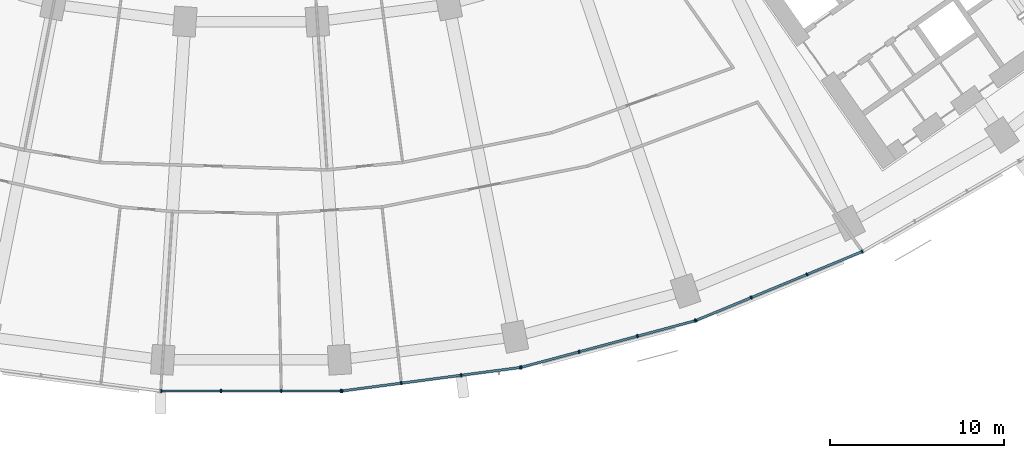
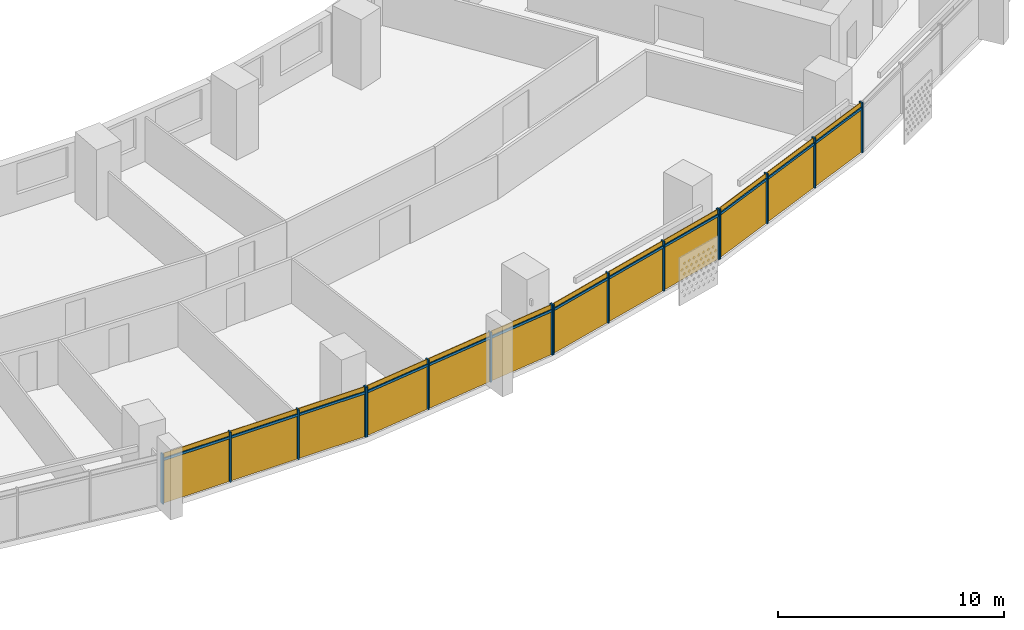
# One storey, part 23 of 30: 28 members, 4 curtain walls.
"""IFC4 building model written with IfcOpenShell, lengths in metres."""

from ifc_helpers import new_model, si_unit, direction, frame, origin, origin_2d, place, context, subcontext, project, spatial, rectangle, extrude, material, material_profile, profile_set, type_object, element, aggregate, save


model = new_model("IFC4")

# Units and contexts
model_context = context("Model", 3, precision=1e-05, world=origin(), true_north=direction((0.0, 1.0)))
body_context = subcontext(model_context, "Body", "Model", "MODEL_VIEW")
ifc_project = project(units=[si_unit("LENGTHUNIT", "METRE"), si_unit("AREAUNIT", "SQUARE_METRE"), si_unit("VOLUMEUNIT", "CUBIC_METRE"), si_unit("PLANEANGLEUNIT", "RADIAN"), si_unit("MASSUNIT", "GRAM", prefix="KILO")], contexts=[model_context])

# Member
ifc_material = material(Name="Aluminium 6063-T6 anodised", Category="aluminium")
ifc_material_profile_1 = material_profile(ifc_material, rectangle(XDim=0.199951171875, YDim=0.070068359375, at=origin_2d()))
ifc_profile_set_1 = profile_set([ifc_material_profile_1], Name="Aluminium 6063-T6 anodised")
member_type_1 = type_object("IfcMemberType", Name="Mullion 70 x 200 aluminium", PredefinedType="MULLION", material=ifc_profile_set_1)
site_placement = place(None, origin())
building_placement = place(site_placement, origin())
storey_placement = place(building_placement, frame((0.0, 0.0, 67.10009765625)))
member_1_placement = place(storey_placement, frame((-5.17431640625, -79.37939453125, 0.0), z_axis=(0.0, 0.0, 1.0), x_axis=(0.0, 1.0, 0.0)))
member_1 = element("IfcMember", 1, at=member_1_placement, type_object=member_type_1, Name="e-cw1-L13-out08/M00", PredefinedType="MULLION", context=body_context, shape_type="SweptSolid", body=[
    extrude(rectangle(XDim=0.199951171875, YDim=0.070068359375, at=origin_2d()), origin(), (0.0, 0.0, 1.0), 2.699951171875),
])

member_2_placement = place(storey_placement, frame((-1.736572265625, -79.37939453125, 0.0), z_axis=(0.0, 0.0, 1.0), x_axis=(0.0, 1.0, 0.0)))
member_2 = element("IfcMember", 2, at=member_2_placement, type_object=member_type_1, Name="e-cw1-L13-out08/M01", PredefinedType="MULLION", context=body_context, shape_type="SweptSolid", body=[
    extrude(rectangle(XDim=0.199951171875, YDim=0.070068359375, at=origin_2d()), origin(), (0.0, 0.0, 1.0), 2.699951171875),
])

member_3_placement = place(storey_placement, frame((1.736572265625, -79.37939453125, 0.0), z_axis=(0.0, 0.0, 1.0), x_axis=(0.0, 1.0, 0.0)))
member_3 = element("IfcMember", 3, at=member_3_placement, type_object=member_type_1, Name="e-cw1-L13-out08/M02", PredefinedType="MULLION", context=body_context, shape_type="SweptSolid", body=[
    extrude(rectangle(XDim=0.199951171875, YDim=0.070068359375, at=origin_2d()), origin(), (0.0, 0.0, 1.0), 2.699951171875),
])

member_4_placement = place(storey_placement, frame((5.17431640625, -79.37939453125, 0.0), z_axis=(0.0, 0.0, 1.0), x_axis=(0.0, 1.0, 0.0)))
member_4 = element("IfcMember", 4, at=member_4_placement, type_object=member_type_1, Name="e-cw1-L13-out08/M03", PredefinedType="MULLION", context=body_context, shape_type="SweptSolid", body=[
    extrude(rectangle(XDim=0.199951171875, YDim=0.070068359375, at=origin_2d()), origin(), (0.0, 0.0, 1.0), 2.699951171875),
])

member_5_placement = place(storey_placement, frame((5.23095703125, -79.375732421875, 0.0), z_axis=(0.0, 0.0, 1.0), x_axis=(-0.13052619222, 0.991444861374, 0.0)))
member_5 = element("IfcMember", 5, at=member_5_placement, type_object=member_type_1, Name="e-cw1-L13-out09/M00", PredefinedType="MULLION", context=body_context, shape_type="SweptSolid", body=[
    extrude(rectangle(XDim=0.199951171875, YDim=0.070068359375, at=origin_2d()), origin(), (0.0, 0.0, 1.0), 2.699951171875),
])

member_6_placement = place(storey_placement, frame((8.639404296875, -78.927001953125, 0.0), z_axis=(0.0, 0.0, 1.0), x_axis=(-0.13052619222, 0.991444861374, 0.0)))
member_6 = element("IfcMember", 6, at=member_6_placement, type_object=member_type_1, Name="e-cw1-L13-out09/M01", PredefinedType="MULLION", context=body_context, shape_type="SweptSolid", body=[
    extrude(rectangle(XDim=0.199951171875, YDim=0.070068359375, at=origin_2d()), origin(), (0.0, 0.0, 1.0), 2.699951171875),
])

member_7_placement = place(storey_placement, frame((12.082763671875, -78.4736328125, 0.0), z_axis=(0.0, 0.0, 1.0), x_axis=(-0.13052619222, 0.991444861374, 0.0)))
member_7 = element("IfcMember", 7, at=member_7_placement, type_object=member_type_1, Name="e-cw1-L13-out09/M02", PredefinedType="MULLION", context=body_context, shape_type="SweptSolid", body=[
    extrude(rectangle(XDim=0.199951171875, YDim=0.070068359375, at=origin_2d()), origin(), (0.0, 0.0, 1.0), 2.699951171875),
])

member_8_placement = place(storey_placement, frame((15.4912109375, -78.02490234375, 0.0), z_axis=(0.0, 0.0, 1.0), x_axis=(-0.13052619222, 0.991444861374, 0.0)))
member_8 = element("IfcMember", 8, at=member_8_placement, type_object=member_type_1, Name="e-cw1-L13-out09/M03", PredefinedType="MULLION", context=body_context, shape_type="SweptSolid", body=[
    extrude(rectangle(XDim=0.199951171875, YDim=0.070068359375, at=origin_2d()), origin(), (0.0, 0.0, 1.0), 2.699951171875),
])

member_9_placement = place(storey_placement, frame((15.546875, -78.013916015625, 0.0), z_axis=(0.0, 0.0, 1.0), x_axis=(-0.258819045103, 0.965925826289, 0.0)))
member_9 = element("IfcMember", 9, at=member_9_placement, type_object=member_type_1, Name="e-cw1-L13-out10/M00", PredefinedType="MULLION", context=body_context, shape_type="SweptSolid", body=[
    extrude(rectangle(XDim=0.199951171875, YDim=0.070068359375, at=origin_2d()), origin(), (0.0, 0.0, 1.0), 2.699951171875),
])

member_10_placement = place(storey_placement, frame((18.86767578125, -77.1240234375, 0.0), z_axis=(0.0, 0.0, 1.0), x_axis=(-0.258819045103, 0.965925826289, 0.0)))
member_10 = element("IfcMember", 10, at=member_10_placement, type_object=member_type_1, Name="e-cw1-L13-out10/M01", PredefinedType="MULLION", context=body_context, shape_type="SweptSolid", body=[
    extrude(rectangle(XDim=0.199951171875, YDim=0.070068359375, at=origin_2d()), origin(), (0.0, 0.0, 1.0), 2.699951171875),
])

member_11_placement = place(storey_placement, frame((22.22216796875, -76.225341796875, 0.0), z_axis=(0.0, 0.0, 1.0), x_axis=(-0.258819045103, 0.965925826289, 0.0)))
member_11 = element("IfcMember", 11, at=member_11_placement, type_object=member_type_1, Name="e-cw1-L13-out10/M02", PredefinedType="MULLION", context=body_context, shape_type="SweptSolid", body=[
    extrude(rectangle(XDim=0.199951171875, YDim=0.070068359375, at=origin_2d()), origin(), (0.0, 0.0, 1.0), 2.699951171875),
])

member_12_placement = place(storey_placement, frame((25.54296875, -75.33544921875, 0.0), z_axis=(0.0, 0.0, 1.0), x_axis=(-0.258819045103, 0.965925826289, 0.0)))
member_12 = element("IfcMember", 12, at=member_12_placement, type_object=member_type_1, Name="e-cw1-L13-out10/M03", PredefinedType="MULLION", context=body_context, shape_type="SweptSolid", body=[
    extrude(rectangle(XDim=0.199951171875, YDim=0.070068359375, at=origin_2d()), origin(), (0.0, 0.0, 1.0), 2.699951171875),
])

member_13_placement = place(storey_placement, frame((25.5966796875, -75.317138671875, 0.0), z_axis=(0.0, 0.0, 1.0), x_axis=(-0.382683432365, 0.923879532511, 0.0)))
member_13 = element("IfcMember", 13, at=member_13_placement, type_object=member_type_1, Name="e-cw1-L13-out11/M00", PredefinedType="MULLION", context=body_context, shape_type="SweptSolid", body=[
    extrude(rectangle(XDim=0.199951171875, YDim=0.070068359375, at=origin_2d()), origin(), (0.0, 0.0, 1.0), 2.699951171875),
])

member_14_placement = place(storey_placement, frame((28.77294921875, -74.00146484375, 0.0), z_axis=(0.0, 0.0, 1.0), x_axis=(-0.382683432365, 0.923879532511, 0.0)))
member_14 = element("IfcMember", 14, at=member_14_placement, type_object=member_type_1, Name="e-cw1-L13-out11/M01", PredefinedType="MULLION", context=body_context, shape_type="SweptSolid", body=[
    extrude(rectangle(XDim=0.199951171875, YDim=0.070068359375, at=origin_2d()), origin(), (0.0, 0.0, 1.0), 2.699951171875),
])

member_15_placement = place(storey_placement, frame((31.9814453125, -72.672607421875, 0.0), z_axis=(0.0, 0.0, 1.0), x_axis=(-0.382683432365, 0.923879532511, 0.0)))
member_15 = element("IfcMember", 15, at=member_15_placement, type_object=member_type_1, Name="e-cw1-L13-out11/M02", PredefinedType="MULLION", context=body_context, shape_type="SweptSolid", body=[
    extrude(rectangle(XDim=0.199951171875, YDim=0.070068359375, at=origin_2d()), origin(), (0.0, 0.0, 1.0), 2.699951171875),
])

member_16_placement = place(storey_placement, frame((35.15771484375, -71.35693359375, 0.0), z_axis=(0.0, 0.0, 1.0), x_axis=(-0.382683432365, 0.923879532511, 0.0)))
member_16 = element("IfcMember", 16, at=member_16_placement, type_object=member_type_1, Name="e-cw1-L13-out11/M03", PredefinedType="MULLION", context=body_context, shape_type="SweptSolid", body=[
    extrude(rectangle(XDim=0.199951171875, YDim=0.070068359375, at=origin_2d()), origin(), (0.0, 0.0, 1.0), 2.699951171875),
])

ifc_material_profile_2 = material_profile(ifc_material, rectangle(XDim=0.139892578125, YDim=0.1201171875, at=origin_2d()))
ifc_profile_set_2 = profile_set([ifc_material_profile_2], Name="Aluminium 6063-T6 anodised")
member_type_2 = type_object("IfcMemberType", Name="Transom 120 x 140 aluminium", PredefinedType="USERDEFINED", material=ifc_profile_set_2)
member_17_placement = place(storey_placement, frame((-5.139404296875, -79.37939453125, 2.39990234375), z_axis=(1.0, 0.0, 0.0), x_axis=(0.0, 1.0, 0.0)))
member_17 = element("IfcMember", 17, at=member_17_placement, type_object=member_type_2, Name="e-cw1-L13-out08/T00", ObjectType="TRANSOM", PredefinedType="USERDEFINED", context=body_context, shape_type="SweptSolid", body=[
    extrude(rectangle(XDim=0.139892578125, YDim=0.1201171875, at=origin_2d()), origin(), (0.0, 0.0, 1.0), 3.367919921875),
])

member_18_placement = place(storey_placement, frame((-1.701416015625, -79.37939453125, 2.39990234375), z_axis=(1.0, 0.0, 0.0), x_axis=(0.0, 1.0, 0.0)))
member_18 = element("IfcMember", 18, at=member_18_placement, type_object=member_type_2, Name="e-cw1-L13-out08/T01", ObjectType="TRANSOM", PredefinedType="USERDEFINED", context=body_context, shape_type="SweptSolid", body=[
    extrude(rectangle(XDim=0.139892578125, YDim=0.1201171875, at=origin_2d()), origin(), (0.0, 0.0, 1.0), 3.40283203125),
])

member_19_placement = place(storey_placement, frame((1.771484375, -79.37939453125, 2.39990234375), z_axis=(1.0, 0.0, 0.0), x_axis=(0.0, 1.0, 0.0)))
member_19 = element("IfcMember", 19, at=member_19_placement, type_object=member_type_2, Name="e-cw1-L13-out08/T02", ObjectType="TRANSOM", PredefinedType="USERDEFINED", context=body_context, shape_type="SweptSolid", body=[
    extrude(rectangle(XDim=0.139892578125, YDim=0.1201171875, at=origin_2d()), origin(), (0.0, 0.0, 1.0), 3.367919921875),
])

member_20_placement = place(storey_placement, frame((5.265625, -79.37109375, 2.39990234375), z_axis=(0.991450594138, 0.130482640159, 0.0), x_axis=(-0.130482640159, 0.991450594138, 0.0)))
member_20 = element("IfcMember", 20, at=member_20_placement, type_object=member_type_2, Name="e-cw1-L13-out09/T00", ObjectType="TRANSOM", PredefinedType="USERDEFINED", context=body_context, shape_type="SweptSolid", body=[
    extrude(rectangle(XDim=0.139892578125, YDim=0.1201171875, at=origin_2d()), origin(), (0.0, 0.0, 1.0), 3.367919921875),
])

member_21_placement = place(storey_placement, frame((8.67431640625, -78.92236328125, 2.39990234375), z_axis=(0.991447700941, 0.130504621753, 0.0), x_axis=(-0.130504621753, 0.991447700941, 0.0)))
member_21 = element("IfcMember", 21, at=member_21_placement, type_object=member_type_2, Name="e-cw1-L13-out09/T01", ObjectType="TRANSOM", PredefinedType="USERDEFINED", context=body_context, shape_type="SweptSolid", body=[
    extrude(rectangle(XDim=0.139892578125, YDim=0.1201171875, at=origin_2d()), origin(), (0.0, 0.0, 1.0), 3.40283203125),
])

member_22_placement = place(storey_placement, frame((12.117431640625, -78.46923828125, 2.39990234375), z_axis=(0.9914412138, 0.130553895303, 0.0), x_axis=(-0.130553895303, 0.9914412138, 0.0)))
member_22 = element("IfcMember", 22, at=member_22_placement, type_object=member_type_2, Name="e-cw1-L13-out09/T02", ObjectType="TRANSOM", PredefinedType="USERDEFINED", context=body_context, shape_type="SweptSolid", body=[
    extrude(rectangle(XDim=0.139892578125, YDim=0.1201171875, at=origin_2d()), origin(), (0.0, 0.0, 1.0), 3.367919921875),
])

member_23_placement = place(storey_placement, frame((15.58056640625, -78.0048828125, 2.39990234375), z_axis=(0.965915368772, 0.258858069935, 0.0), x_axis=(-0.258858069935, 0.965915368772, 0.0)))
member_23 = element("IfcMember", 23, at=member_23_placement, type_object=member_type_2, Name="e-cw1-L13-out10/T00", ObjectType="TRANSOM", PredefinedType="USERDEFINED", context=body_context, shape_type="SweptSolid", body=[
    extrude(rectangle(XDim=0.139892578125, YDim=0.1201171875, at=origin_2d()), origin(), (0.0, 0.0, 1.0), 3.367919921875),
])

member_24_placement = place(storey_placement, frame((18.9013671875, -77.114990234375, 2.39990234375), z_axis=(0.965937804901, 0.258774336176, 0.0), x_axis=(-0.258774336176, 0.965937804901, 0.0)))
member_24 = element("IfcMember", 24, at=member_24_placement, type_object=member_type_2, Name="e-cw1-L13-out10/T01", ObjectType="TRANSOM", PredefinedType="USERDEFINED", context=body_context, shape_type="SweptSolid", body=[
    extrude(rectangle(XDim=0.139892578125, YDim=0.1201171875, at=origin_2d()), origin(), (0.0, 0.0, 1.0), 3.403076171875),
])

member_25_placement = place(storey_placement, frame((22.256103515625, -76.21630859375, 2.39990234375), z_axis=(0.965915368772, 0.258858069935, 0.0), x_axis=(-0.258858069935, 0.965915368772, 0.0)))
member_25 = element("IfcMember", 25, at=member_25_placement, type_object=member_type_2, Name="e-cw1-L13-out10/T02", ObjectType="TRANSOM", PredefinedType="USERDEFINED", context=body_context, shape_type="SweptSolid", body=[
    extrude(rectangle(XDim=0.139892578125, YDim=0.1201171875, at=origin_2d()), origin(), (0.0, 0.0, 1.0), 3.367919921875),
])

member_26_placement = place(storey_placement, frame((25.629150390625, -75.3037109375, 2.39990234375), z_axis=(0.923872807855, 0.382699666719, 0.0), x_axis=(-0.382699666719, 0.923872807855, 0.0)))
member_26 = element("IfcMember", 26, at=member_26_placement, type_object=member_type_2, Name="e-cw1-L13-out11/T00", ObjectType="TRANSOM", PredefinedType="USERDEFINED", context=body_context, shape_type="SweptSolid", body=[
    extrude(rectangle(XDim=0.139892578125, YDim=0.1201171875, at=origin_2d()), origin(), (0.0, 0.0, 1.0), 3.36767578125),
])

member_27_placement = place(storey_placement, frame((28.80517578125, -73.98828125, 2.39990234375), z_axis=(0.92388567708, 0.382668597728, 0.0), x_axis=(-0.382668597728, 0.92388567708, 0.0)))
member_27 = element("IfcMember", 27, at=member_27_placement, type_object=member_type_2, Name="e-cw1-L13-out11/T01", ObjectType="TRANSOM", PredefinedType="USERDEFINED", context=body_context, shape_type="SweptSolid", body=[
    extrude(rectangle(XDim=0.139892578125, YDim=0.1201171875, at=origin_2d()), origin(), (0.0, 0.0, 1.0), 3.403076171875),
])

member_28_placement = place(storey_placement, frame((32.013916015625, -72.6591796875, 2.39990234375), z_axis=(0.923872807855, 0.382699666719, 0.0), x_axis=(-0.382699666719, 0.923872807855, 0.0)))
member_28 = element("IfcMember", 28, at=member_28_placement, type_object=member_type_2, Name="e-cw1-L13-out11/T02", ObjectType="TRANSOM", PredefinedType="USERDEFINED", context=body_context, shape_type="SweptSolid", body=[
    extrude(rectangle(XDim=0.139892578125, YDim=0.1201171875, at=origin_2d()), origin(), (0.0, 0.0, 1.0), 3.36767578125),
])

# Site, building, storey
site = spatial("IfcSite", under=ifc_project, at=site_placement, CompositionType="ELEMENT")
building = spatial("IfcBuilding", under=site, at=building_placement, Name="Qamariyya Broadcast Tower", CompositionType="ELEMENT")
storey = spatial("IfcBuildingStorey", under=building, at=storey_placement, Name="L13", CompositionType="ELEMENT", Elevation=67.10009765625)

# Curtain wall
curtain_wall_type = type_object("IfcCurtainWallType", Name="Unitised curtain wall, anodised aluminium", PredefinedType="NOTDEFINED", material=ifc_material)
curtain_wall_1_placement = place(storey_placement, origin())
curtain_wall_1 = element("IfcCurtainWall", 29, at=curtain_wall_1_placement, inside=storey, type_object=curtain_wall_type, Name="e-cw1-L13-out08", PredefinedType="NOTDEFINED", context=body_context, shape_type="SweptSolid", body=[
    extrude(rectangle(XDim=3.367919921875, YDim=0.031982421875, at=origin_2d()), frame((-3.45556640625, -79.37939453125, 0.0), x_axis=(1.0, 0.0, 0.0)), (0.0, 0.0, 1.0), 2.340087890625),
    extrude(rectangle(XDim=3.367919921875, YDim=0.031982421875, at=origin_2d()), frame((-3.45556640625, -79.37939453125, 2.4599609375), x_axis=(1.0, 0.0, 0.0)), (0.0, 0.0, 1.0), 0.239990234375),
    extrude(rectangle(XDim=3.403076171875, YDim=0.031982421875, at=origin_2d()), frame((0.0, -79.37939453125, 0.0), x_axis=(1.0, 0.0, 0.0)), (0.0, 0.0, 1.0), 2.340087890625),
    extrude(rectangle(XDim=3.403076171875, YDim=0.031982421875, at=origin_2d()), frame((0.0, -79.37939453125, 2.4599609375), x_axis=(1.0, 0.0, 0.0)), (0.0, 0.0, 1.0), 0.239990234375),
    extrude(rectangle(XDim=3.367919921875, YDim=0.031982421875, at=origin_2d()), frame((3.45556640625, -79.37939453125, 0.0), x_axis=(1.0, 0.0, 0.0)), (0.0, 0.0, 1.0), 2.340087890625),
    extrude(rectangle(XDim=3.367919921875, YDim=0.031982421875, at=origin_2d()), frame((3.45556640625, -79.37939453125, 2.4599609375), x_axis=(1.0, 0.0, 0.0)), (0.0, 0.0, 1.0), 0.239990234375),
])

aggregate(curtain_wall_1, [member_1, member_2, member_3, member_4, member_17, member_18, member_19])

curtain_wall_2_placement = place(storey_placement, origin())
curtain_wall_2 = element("IfcCurtainWall", 30, at=curtain_wall_2_placement, inside=storey, type_object=curtain_wall_type, Name="e-cw1-L13-out09", PredefinedType="NOTDEFINED", context=body_context, shape_type="SweptSolid", body=[
    extrude(rectangle(XDim=3.367919921875, YDim=0.031982421875, at=origin_2d()), frame((6.935302734375, -79.1513671875, 0.0), x_axis=(0.991445519925, 0.130521189931, 0.0)), (0.0, 0.0, 1.0), 2.340087890625),
    extrude(rectangle(XDim=3.367919921875, YDim=0.031982421875, at=origin_2d()), frame((6.935302734375, -79.1513671875, 2.4599609375), x_axis=(0.991445519925, 0.130521189931, 0.0)), (0.0, 0.0, 1.0), 0.239990234375),
    extrude(rectangle(XDim=3.40283203125, YDim=0.031982421875, at=origin_2d()), frame((10.361083984375, -78.700439453125, 0.0), x_axis=(0.991445519925, 0.130521189931, 0.0)), (0.0, 0.0, 1.0), 2.340087890625),
    extrude(rectangle(XDim=3.40283203125, YDim=0.031982421875, at=origin_2d()), frame((10.361083984375, -78.700439453125, 2.4599609375), x_axis=(0.991445519925, 0.130521189931, 0.0)), (0.0, 0.0, 1.0), 0.239990234375),
    extrude(rectangle(XDim=3.367919921875, YDim=0.031982421875, at=origin_2d()), frame((13.786865234375, -78.24951171875, 0.0), x_axis=(0.991445519925, 0.130521189931, 0.0)), (0.0, 0.0, 1.0), 2.340087890625),
    extrude(rectangle(XDim=3.367919921875, YDim=0.031982421875, at=origin_2d()), frame((13.786865234375, -78.24951171875, 2.4599609375), x_axis=(0.991445519925, 0.130521189931, 0.0)), (0.0, 0.0, 1.0), 0.239990234375),
])

aggregate(curtain_wall_2, [member_5, member_6, member_7, member_8, member_20, member_21, member_22])

curtain_wall_3_placement = place(storey_placement, origin())
curtain_wall_3 = element("IfcCurtainWall", 31, at=curtain_wall_3_placement, inside=storey, type_object=curtain_wall_type, Name="e-cw1-L13-out10", PredefinedType="NOTDEFINED", context=body_context, shape_type="SweptSolid", body=[
    extrude(rectangle(XDim=3.367919921875, YDim=0.031982421875, at=origin_2d()), frame((17.207275390625, -77.569091796875, 0.0), x_axis=(0.965925039578, 0.258821981129, 0.0)), (0.0, 0.0, 1.0), 2.340087890625),
    extrude(rectangle(XDim=3.367919921875, YDim=0.031982421875, at=origin_2d()), frame((17.207275390625, -77.569091796875, 2.4599609375), x_axis=(0.965925039578, 0.258821981129, 0.0)), (0.0, 0.0, 1.0), 0.239990234375),
    extrude(rectangle(XDim=3.40283203125, YDim=0.031982421875, at=origin_2d()), frame((20.544921875, -76.6748046875, 0.0), x_axis=(0.965925039578, 0.258821981129, 0.0)), (0.0, 0.0, 1.0), 2.340087890625),
    extrude(rectangle(XDim=3.40283203125, YDim=0.031982421875, at=origin_2d()), frame((20.544921875, -76.6748046875, 2.4599609375), x_axis=(0.965925039578, 0.258821981129, 0.0)), (0.0, 0.0, 1.0), 0.239990234375),
    extrude(rectangle(XDim=3.367919921875, YDim=0.031982421875, at=origin_2d()), frame((23.882568359375, -75.7802734375, 0.0), x_axis=(0.965925039578, 0.258821981129, 0.0)), (0.0, 0.0, 1.0), 2.340087890625),
    extrude(rectangle(XDim=3.367919921875, YDim=0.031982421875, at=origin_2d()), frame((23.882568359375, -75.7802734375, 2.4599609375), x_axis=(0.965925039578, 0.258821981129, 0.0)), (0.0, 0.0, 1.0), 0.239990234375),
])

aggregate(curtain_wall_3, [member_9, member_10, member_11, member_12, member_23, member_24, member_25])

curtain_wall_4_placement = place(storey_placement, origin())
curtain_wall_4 = element("IfcCurtainWall", 32, at=curtain_wall_4_placement, inside=storey, type_object=curtain_wall_type, Name="e-cw1-L13-out11", PredefinedType="NOTDEFINED", context=body_context, shape_type="SweptSolid", body=[
    extrude(rectangle(XDim=3.367919921875, YDim=0.031982421875, at=origin_2d()), frame((27.184814453125, -74.659423828125, 0.0), x_axis=(0.92387774222, 0.382687754482, 0.0)), (0.0, 0.0, 1.0), 2.340087890625),
    extrude(rectangle(XDim=3.367919921875, YDim=0.031982421875, at=origin_2d()), frame((27.184814453125, -74.659423828125, 2.4599609375), x_axis=(0.92387774222, 0.382687754482, 0.0)), (0.0, 0.0, 1.0), 0.239990234375),
    extrude(rectangle(XDim=3.40283203125, YDim=0.031982421875, at=origin_2d()), frame((30.377197265625, -73.3369140625, 0.0), x_axis=(0.92387774222, 0.382687754482, 0.0)), (0.0, 0.0, 1.0), 2.340087890625),
    extrude(rectangle(XDim=3.40283203125, YDim=0.031982421875, at=origin_2d()), frame((30.377197265625, -73.3369140625, 2.4599609375), x_axis=(0.92387774222, 0.382687754482, 0.0)), (0.0, 0.0, 1.0), 0.239990234375),
    extrude(rectangle(XDim=3.367919921875, YDim=0.031982421875, at=origin_2d()), frame((33.569580078125, -72.0146484375, 0.0), x_axis=(0.92387774222, 0.382687754482, 0.0)), (0.0, 0.0, 1.0), 2.340087890625),
    extrude(rectangle(XDim=3.367919921875, YDim=0.031982421875, at=origin_2d()), frame((33.569580078125, -72.0146484375, 2.4599609375), x_axis=(0.92387774222, 0.382687754482, 0.0)), (0.0, 0.0, 1.0), 0.239990234375),
])

aggregate(curtain_wall_4, [member_13, member_14, member_15, member_16, member_26, member_27, member_28])

save(model, "model.ifc")
